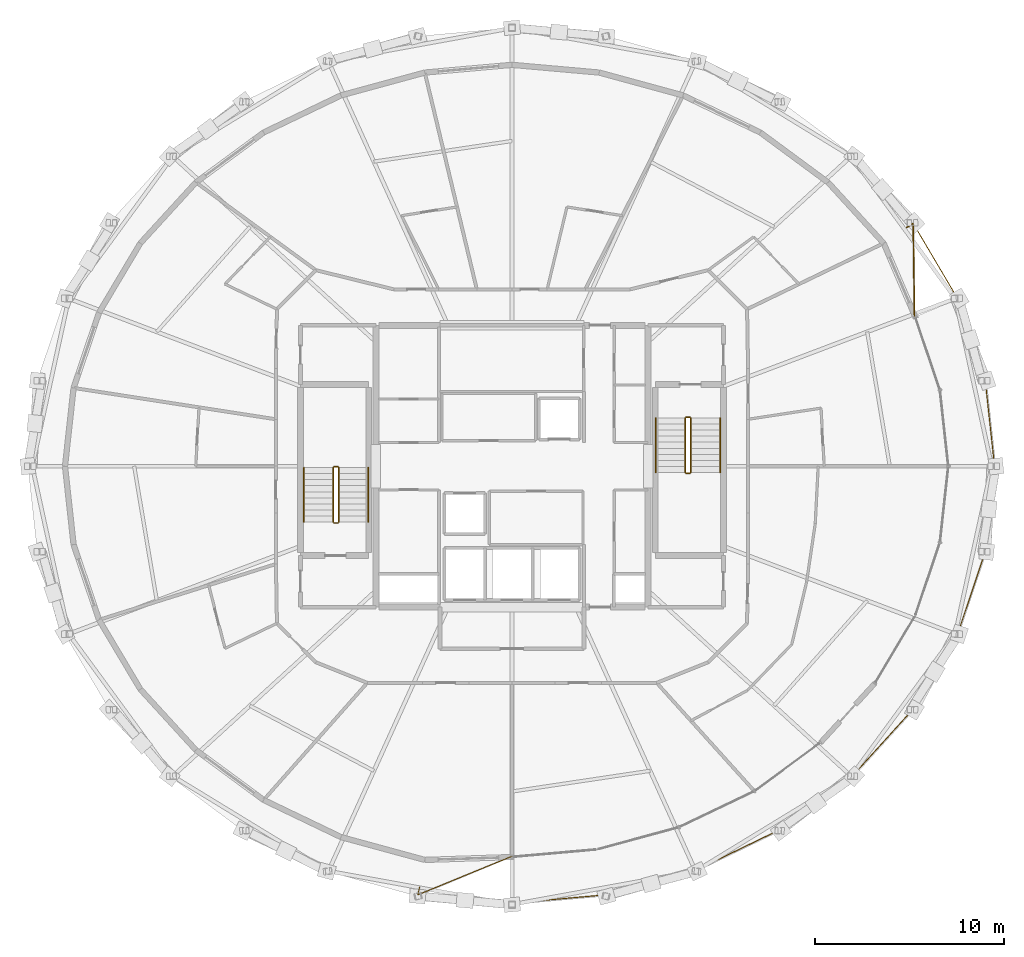
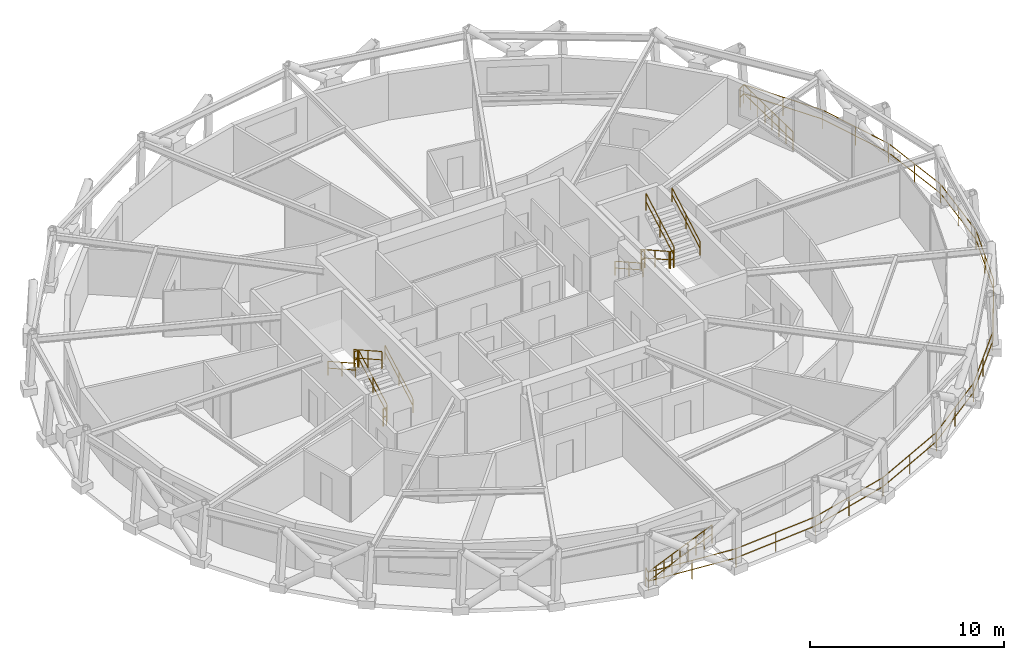
# One storey, part 17 of 17: 15 railings.
"""IFC4 building model written with IfcOpenShell, lengths in metres."""

from ifc_helpers import new_model, si_unit, direction, frame, origin, origin_2d, place, context, subcontext, project, spatial, circle, extrude, material, type_object, element, save


model = new_model("IFC4")

# Units and contexts
model_context = context("Model", 3, precision=1e-05, world=origin(), true_north=direction((0.0, 1.0)))
body_context = subcontext(model_context, "Body", "Model", "MODEL_VIEW")
ifc_project = project(units=[si_unit("LENGTHUNIT", "METRE"), si_unit("AREAUNIT", "SQUARE_METRE"), si_unit("VOLUMEUNIT", "CUBIC_METRE"), si_unit("PLANEANGLEUNIT", "RADIAN"), si_unit("MASSUNIT", "GRAM", prefix="KILO")], contexts=[model_context])

# Site, building, storey
site_placement = place(None, origin())
site = spatial("IfcSite", under=ifc_project, at=site_placement, CompositionType="ELEMENT")
building_placement = place(site_placement, origin())
building = spatial("IfcBuilding", under=site, at=building_placement, Name="Veldorina Hangang Commons", CompositionType="ELEMENT")
storey_placement = place(building_placement, frame((0.0, 0.0, 214.800048828125)))
storey = spatial("IfcBuildingStorey", under=building, at=storey_placement, Name="L55", CompositionType="ELEMENT", Elevation=214.800048828125)

# Railings
ifc_material_1 = material(Name="Glass Laminated Safety Balustrade", Category="glass")
railing_type_1 = type_object("IfcRailingType", Name="RL-BAL-LOGGIA", PredefinedType="BALUSTRADE", material=ifc_material_1)
railing_1_placement = place(storey_placement, frame((27.11474609375, 1.7548828125, 0.0)))
element("IfcRailing", 1, at=railing_1_placement, inside=storey, type_object=railing_type_1, Name="L55 sky-garden loggia end balustrade A", PredefinedType="BALUSTRADE", context=body_context, shape_type="SweptSolid", body=[
    extrude(circle(Radius=0.02392578125, at=origin_2d()), frame((0.0, 0.0, 1.17578125), z_axis=(-0.213974319769, -0.976839285901, 0.0), x_axis=(0.976839285901, -0.213974319769, 0.0)), (0.0, 0.0, 1.0), 0.419921875),
    extrude(circle(Radius=0.02392578125, at=origin_2d()), frame((0.0, 0.0, 0.60009765625), z_axis=(-0.213974319769, -0.976839285901, 0.0), x_axis=(0.976839285901, -0.213974319769, 0.0)), (0.0, 0.0, 1.0), 0.419921875),
    extrude(circle(Radius=0.02392578125, at=origin_2d()), frame((-0.08984375, -0.41015625, 1.17578125), z_axis=(0.92547459623, 0.378809677454, 0.0), x_axis=(-0.378809677454, 0.92547459623, 0.0)), (0.0, 0.0, 1.0), 5.375732421875),
    extrude(circle(Radius=0.02392578125, at=origin_2d()), frame((-0.08984375, -0.41015625, 0.60009765625), z_axis=(0.92547459623, 0.378809677454, 0.0), x_axis=(-0.378809677454, 0.92547459623, 0.0)), (0.0, 0.0, 1.0), 5.375732421875),
    extrude(circle(Radius=0.02099609375, at=origin_2d()), origin(), (0.0, 0.0, 1.0), 1.15185546875),
    extrude(circle(Radius=0.02099609375, at=origin_2d()), frame((-0.08984375, -0.41015625, 0.0)), (0.0, 0.0, 1.0), 1.15185546875),
    extrude(circle(Radius=0.02099609375, at=origin_2d()), frame((0.531982421875, -0.155517578125, 0.0)), (0.0, 0.0, 1.0), 1.15185546875),
    extrude(circle(Radius=0.02099609375, at=origin_2d()), frame((1.15380859375, 0.098876953125, 0.0)), (0.0, 0.0, 1.0), 1.15185546875),
    extrude(circle(Radius=0.02099609375, at=origin_2d()), frame((1.77587890625, 0.353515625, 0.0)), (0.0, 0.0, 1.0), 1.15185546875),
    extrude(circle(Radius=0.02099609375, at=origin_2d()), frame((2.397705078125, 0.60791015625, 0.0)), (0.0, 0.0, 1.0), 1.15185546875),
    extrude(circle(Radius=0.02099609375, at=origin_2d()), frame((3.01953125, 0.862548828125, 0.0)), (0.0, 0.0, 1.0), 1.15185546875),
    extrude(circle(Radius=0.02099609375, at=origin_2d()), frame((3.6416015625, 1.1171875, 0.0)), (0.0, 0.0, 1.0), 1.15185546875),
    extrude(circle(Radius=0.02099609375, at=origin_2d()), frame((4.263427734375, 1.37158203125, 0.0)), (0.0, 0.0, 1.0), 1.15185546875),
    extrude(circle(Radius=0.02099609375, at=origin_2d()), frame((4.88525390625, 1.626220703125, 0.0)), (0.0, 0.0, 1.0), 1.15185546875),
])
railing_2_placement = place(storey_placement, frame((52.849609375, 36.61865234375, 0.0)))
element("IfcRailing", 2, at=railing_2_placement, inside=storey, type_object=railing_type_1, Name="L55 sky-garden loggia end balustrade B", PredefinedType="BALUSTRADE", context=body_context, shape_type="SweptSolid", body=[
    extrude(circle(Radius=0.02392578125, at=origin_2d()), frame((0.0, 0.0, 1.17578125), z_axis=(0.855486528825, 0.517825066021, 0.0), x_axis=(-0.517825066021, 0.855486528825, 0.0)), (0.0, 0.0, 1.0), 0.420166015625),
    extrude(circle(Radius=0.02392578125, at=origin_2d()), frame((0.0, 0.0, 0.60009765625), z_axis=(0.855486528825, 0.517825066021, 0.0), x_axis=(-0.517825066021, 0.855486528825, 0.0)), (0.0, 0.0, 1.0), 0.420166015625),
    extrude(circle(Radius=0.02392578125, at=origin_2d()), frame((0.359375, 0.217529296875, 1.17578125), z_axis=(0.013627018211, -0.999907147877, 0.0), x_axis=(0.999907147877, 0.013627018211, 0.0)), (0.0, 0.0, 1.0), 4.94482421875),
    extrude(circle(Radius=0.02392578125, at=origin_2d()), frame((0.359375, 0.217529296875, 0.60009765625), z_axis=(0.013627018211, -0.999907147877, 0.0), x_axis=(0.999907147877, 0.013627018211, 0.0)), (0.0, 0.0, 1.0), 4.94482421875),
    extrude(circle(Radius=0.02099609375, at=origin_2d()), origin(), (0.0, 0.0, 1.0), 1.15185546875),
    extrude(circle(Radius=0.02099609375, at=origin_2d()), frame((0.359375, 0.217529296875, 0.0)), (0.0, 0.0, 1.0), 1.15185546875),
    extrude(circle(Radius=0.02099609375, at=origin_2d()), frame((0.368896484375, -0.48876953125, 0.0)), (0.0, 0.0, 1.0), 1.15185546875),
    extrude(circle(Radius=0.02099609375, at=origin_2d()), frame((0.378662109375, -1.195068359375, 0.0)), (0.0, 0.0, 1.0), 1.15185546875),
    extrude(circle(Radius=0.02099609375, at=origin_2d()), frame((0.38818359375, -1.9013671875, 0.0)), (0.0, 0.0, 1.0), 1.15185546875),
    extrude(circle(Radius=0.02099609375, at=origin_2d()), frame((0.39794921875, -2.60791015625, 0.0)), (0.0, 0.0, 1.0), 1.15185546875),
    extrude(circle(Radius=0.02099609375, at=origin_2d()), frame((0.407470703125, -3.314208984375, 0.0)), (0.0, 0.0, 1.0), 1.15185546875),
    extrude(circle(Radius=0.02099609375, at=origin_2d()), frame((0.417236328125, -4.0205078125, 0.0)), (0.0, 0.0, 1.0), 1.15185546875),
    extrude(circle(Radius=0.02099609375, at=origin_2d()), frame((0.4267578125, -4.726806640625, 0.0)), (0.0, 0.0, 1.0), 1.15185546875),
])
railing_3_placement = place(storey_placement, frame((27.02490234375, 1.3447265625, 0.0)))
element("IfcRailing", 3, at=railing_3_placement, inside=storey, type_object=railing_type_1, Name="L55 sky-garden loggia outer balustrade", PredefinedType="BALUSTRADE", context=body_context, shape_type="SweptSolid", body=[
    extrude(circle(Radius=0.02392578125, at=origin_2d()), frame((0.0, 0.0, 1.17578125), z_axis=(0.996048367631, -0.0888124391, 0.0), x_axis=(0.0888124391, 0.996048367631, 0.0)), (0.0, 0.0, 1.0), 4.994873046875),
    extrude(circle(Radius=0.02392578125, at=origin_2d()), frame((0.0, 0.0, 0.60009765625), z_axis=(0.996048367631, -0.0888124391, 0.0), x_axis=(0.0888124391, 0.996048367631, 0.0)), (0.0, 0.0, 1.0), 4.994873046875),
    extrude(circle(Radius=0.02392578125, at=origin_2d()), frame((4.97509765625, -0.443603515625, 1.17578125), z_axis=(0.996048367631, 0.0888124391, 0.0), x_axis=(-0.0888124391, 0.996048367631, 0.0)), (0.0, 0.0, 1.0), 4.994873046875),
    extrude(circle(Radius=0.02392578125, at=origin_2d()), frame((4.97509765625, -0.443603515625, 0.60009765625), z_axis=(0.996048367631, 0.0888124391, 0.0), x_axis=(-0.0888124391, 0.996048367631, 0.0)), (0.0, 0.0, 1.0), 4.994873046875),
    extrude(circle(Radius=0.02392578125, at=origin_2d()), frame((9.9501953125, 0.0, 1.17578125), z_axis=(0.9643081659, 0.264782478987, 0.0), x_axis=(-0.264782478987, 0.9643081659, 0.0)), (0.0, 0.0, 1.0), 4.96142578125),
    extrude(circle(Radius=0.02392578125, at=origin_2d()), frame((9.9501953125, 0.0, 0.60009765625), z_axis=(0.9643081659, 0.264782478987, 0.0), x_axis=(-0.264782478987, 0.9643081659, 0.0)), (0.0, 0.0, 1.0), 4.96142578125),
    extrude(circle(Radius=0.02392578125, at=origin_2d()), frame((14.734619140625, 1.313720703125, 1.17578125), z_axis=(0.900181940977, 0.435514033228, 0.0), x_axis=(-0.435514033228, 0.900181940977, 0.0)), (0.0, 0.0, 1.0), 4.89892578125),
    extrude(circle(Radius=0.02392578125, at=origin_2d()), frame((14.734619140625, 1.313720703125, 0.60009765625), z_axis=(0.900181940977, 0.435514033228, 0.0), x_axis=(-0.435514033228, 0.900181940977, 0.0)), (0.0, 0.0, 1.0), 4.89892578125),
    extrude(circle(Radius=0.02392578125, at=origin_2d()), frame((19.14453125, 3.447265625, 1.17578125), z_axis=(0.802765340384, 0.596295068132, 0.0), x_axis=(-0.596295068132, 0.802765340384, 0.0)), (0.0, 0.0, 1.0), 4.816162109375),
    extrude(circle(Radius=0.02392578125, at=origin_2d()), frame((19.14453125, 3.447265625, 0.60009765625), z_axis=(0.802765340384, 0.596295068132, 0.0), x_axis=(-0.596295068132, 0.802765340384, 0.0)), (0.0, 0.0, 1.0), 4.816162109375),
    extrude(circle(Radius=0.02392578125, at=origin_2d()), frame((23.0107421875, 6.319091796875, 1.17578125), z_axis=(0.671689648146, 0.740832650856, 0.0), x_axis=(-0.740832650856, 0.671689648146, 0.0)), (0.0, 0.0, 1.0), 4.724365234375),
    extrude(circle(Radius=0.02392578125, at=origin_2d()), frame((23.0107421875, 6.319091796875, 0.60009765625), z_axis=(0.671689648146, 0.740832650856, 0.0), x_axis=(-0.740832650856, 0.671689648146, 0.0)), (0.0, 0.0, 1.0), 4.724365234375),
    extrude(circle(Radius=0.02392578125, at=origin_2d()), frame((26.18408203125, 9.819091796875, 1.17578125), z_axis=(0.508406531142, 0.861117180814, 0.0), x_axis=(-0.861117180814, 0.508406531142, 0.0)), (0.0, 0.0, 1.0), 4.638427734375),
    extrude(circle(Radius=0.02392578125, at=origin_2d()), frame((26.18408203125, 9.819091796875, 0.60009765625), z_axis=(0.508406531142, 0.861117180814, 0.0), x_axis=(-0.861117180814, 0.508406531142, 0.0)), (0.0, 0.0, 1.0), 4.638427734375),
    extrude(circle(Radius=0.02392578125, at=origin_2d()), frame((28.542236328125, 13.813232421875, 1.17578125), z_axis=(0.317733517289, 0.948180052517, 0.0), x_axis=(-0.948180052517, 0.317733517289, 0.0)), (0.0, 0.0, 1.0), 4.571044921875),
    extrude(circle(Radius=0.02392578125, at=origin_2d()), frame((28.542236328125, 13.813232421875, 0.60009765625), z_axis=(0.317733517289, 0.948180052517, 0.0), x_axis=(-0.948180052517, 0.317733517289, 0.0)), (0.0, 0.0, 1.0), 4.571044921875),
    extrude(circle(Radius=0.02392578125, at=origin_2d()), frame((29.99462890625, 18.1474609375, 1.17578125), z_axis=(0.108167919679, 0.994132637605, 0.0), x_axis=(-0.994132637605, 0.108167919679, 0.0)), (0.0, 0.0, 1.0), 4.534423828125),
    extrude(circle(Radius=0.02392578125, at=origin_2d()), frame((29.99462890625, 18.1474609375, 0.60009765625), z_axis=(0.108167919679, 0.994132637605, 0.0), x_axis=(-0.994132637605, 0.108167919679, 0.0)), (0.0, 0.0, 1.0), 4.534423828125),
    extrude(circle(Radius=0.02392578125, at=origin_2d()), frame((30.485107421875, 22.6552734375, 1.17578125), z_axis=(-0.108167919679, 0.994132637605, 0.0), x_axis=(-0.994132637605, -0.108167919679, 0.0)), (0.0, 0.0, 1.0), 4.534423828125),
    extrude(circle(Radius=0.02392578125, at=origin_2d()), frame((30.485107421875, 22.6552734375, 0.60009765625), z_axis=(-0.108167919679, 0.994132637605, 0.0), x_axis=(-0.994132637605, -0.108167919679, 0.0)), (0.0, 0.0, 1.0), 4.534423828125),
    extrude(circle(Radius=0.02392578125, at=origin_2d()), frame((29.99462890625, 27.1630859375, 1.17578125), z_axis=(-0.317733517289, 0.948180052517, 0.0), x_axis=(-0.948180052517, -0.317733517289, 0.0)), (0.0, 0.0, 1.0), 4.571044921875),
    extrude(circle(Radius=0.02392578125, at=origin_2d()), frame((29.99462890625, 27.1630859375, 0.60009765625), z_axis=(-0.317733517289, 0.948180052517, 0.0), x_axis=(-0.948180052517, -0.317733517289, 0.0)), (0.0, 0.0, 1.0), 4.571044921875),
    extrude(circle(Radius=0.02392578125, at=origin_2d()), frame((28.542236328125, 31.497314453125, 1.17578125), z_axis=(-0.508406531142, 0.861117180814, 0.0), x_axis=(-0.861117180814, -0.508406531142, 0.0)), (0.0, 0.0, 1.0), 4.638427734375),
    extrude(circle(Radius=0.02392578125, at=origin_2d()), frame((28.542236328125, 31.497314453125, 0.60009765625), z_axis=(-0.508406531142, 0.861117180814, 0.0), x_axis=(-0.861117180814, -0.508406531142, 0.0)), (0.0, 0.0, 1.0), 4.638427734375),
    extrude(circle(Radius=0.02099609375, at=origin_2d()), origin(), (0.0, 0.0, 1.0), 1.15185546875),
    extrude(circle(Radius=0.02099609375, at=origin_2d()), frame((2.487548828125, -0.2216796875, 0.0)), (0.0, 0.0, 1.0), 1.15185546875),
    extrude(circle(Radius=0.02099609375, at=origin_2d()), frame((4.97509765625, -0.443603515625, 0.0)), (0.0, 0.0, 1.0), 1.15185546875),
    extrude(circle(Radius=0.02099609375, at=origin_2d()), frame((7.462646484375, -0.2216796875, 0.0)), (0.0, 0.0, 1.0), 1.15185546875),
    extrude(circle(Radius=0.02099609375, at=origin_2d()), frame((9.9501953125, 0.0, 0.0)), (0.0, 0.0, 1.0), 1.15185546875),
    extrude(circle(Radius=0.02099609375, at=origin_2d()), frame((12.34228515625, 0.65673828125, 0.0)), (0.0, 0.0, 1.0), 1.15185546875),
    extrude(circle(Radius=0.02099609375, at=origin_2d()), frame((14.734619140625, 1.313720703125, 0.0)), (0.0, 0.0, 1.0), 1.15185546875),
    extrude(circle(Radius=0.02099609375, at=origin_2d()), frame((16.939453125, 2.38037109375, 0.0)), (0.0, 0.0, 1.0), 1.15185546875),
    extrude(circle(Radius=0.02099609375, at=origin_2d()), frame((19.14453125, 3.447265625, 0.0)), (0.0, 0.0, 1.0), 1.15185546875),
    extrude(circle(Radius=0.02099609375, at=origin_2d()), frame((21.07763671875, 4.88330078125, 0.0)), (0.0, 0.0, 1.0), 1.15185546875),
    extrude(circle(Radius=0.02099609375, at=origin_2d()), frame((23.0107421875, 6.319091796875, 0.0)), (0.0, 0.0, 1.0), 1.15185546875),
    extrude(circle(Radius=0.02099609375, at=origin_2d()), frame((24.597412109375, 8.069091796875, 0.0)), (0.0, 0.0, 1.0), 1.15185546875),
    extrude(circle(Radius=0.02099609375, at=origin_2d()), frame((26.18408203125, 9.819091796875, 0.0)), (0.0, 0.0, 1.0), 1.15185546875),
    extrude(circle(Radius=0.02099609375, at=origin_2d()), frame((27.36328125, 11.816162109375, 0.0)), (0.0, 0.0, 1.0), 1.15185546875),
    extrude(circle(Radius=0.02099609375, at=origin_2d()), frame((28.542236328125, 13.813232421875, 0.0)), (0.0, 0.0, 1.0), 1.15185546875),
    extrude(circle(Radius=0.02099609375, at=origin_2d()), frame((29.2685546875, 15.98046875, 0.0)), (0.0, 0.0, 1.0), 1.15185546875),
    extrude(circle(Radius=0.02099609375, at=origin_2d()), frame((29.99462890625, 18.1474609375, 0.0)), (0.0, 0.0, 1.0), 1.15185546875),
    extrude(circle(Radius=0.02099609375, at=origin_2d()), frame((30.23974609375, 20.4013671875, 0.0)), (0.0, 0.0, 1.0), 1.15185546875),
    extrude(circle(Radius=0.02099609375, at=origin_2d()), frame((30.485107421875, 22.6552734375, 0.0)), (0.0, 0.0, 1.0), 1.15185546875),
    extrude(circle(Radius=0.02099609375, at=origin_2d()), frame((30.23974609375, 24.9091796875, 0.0)), (0.0, 0.0, 1.0), 1.15185546875),
    extrude(circle(Radius=0.02099609375, at=origin_2d()), frame((29.99462890625, 27.1630859375, 0.0)), (0.0, 0.0, 1.0), 1.15185546875),
    extrude(circle(Radius=0.02099609375, at=origin_2d()), frame((29.2685546875, 29.330078125, 0.0)), (0.0, 0.0, 1.0), 1.15185546875),
    extrude(circle(Radius=0.02099609375, at=origin_2d()), frame((28.542236328125, 31.497314453125, 0.0)), (0.0, 0.0, 1.0), 1.15185546875),
    extrude(circle(Radius=0.02099609375, at=origin_2d()), frame((27.36328125, 33.494384765625, 0.0)), (0.0, 0.0, 1.0), 1.15185546875),
    extrude(circle(Radius=0.02099609375, at=origin_2d()), frame((26.18408203125, 35.491455078125, 0.0)), (0.0, 0.0, 1.0), 1.15185546875),
])
ifc_material_2 = material(Name="Steel Painted Balustrade", Category="steel")
railing_type_2 = type_object("IfcRailingType", Name="RL-GRD-STAIR", PredefinedType="GUARDRAIL", material=ifc_material_2)
railing_4_placement = place(storey_placement, frame((22.85009765625, 21.050048828125, 0.179931640625)))
element("IfcRailing", 4, at=railing_4_placement, inside=storey, type_object=railing_type_2, Name="L55 ST-1 stair guard 1", PredefinedType="GUARDRAIL", context=body_context, shape_type="SweptSolid", body=[
    extrude(circle(Radius=0.02392578125, at=origin_2d()), frame((0.0, 0.0, 1.076171875), z_axis=(0.0, 0.87155185771, 0.490303333991), x_axis=(-1.0, 0.0, 0.0)), (0.0, 0.0, 1.0), 3.30419921875),
    extrude(circle(Radius=0.02392578125, at=origin_2d()), frame((0.0, 0.0, 0.550048828125), z_axis=(0.0, 0.87155185771, 0.490303333991), x_axis=(-1.0, 0.0, 0.0)), (0.0, 0.0, 1.0), 3.30419921875),
    extrude(circle(Radius=0.02099609375, at=origin_2d()), origin(), (0.0, 0.0, 1.0), 1.052001953125),
    extrude(circle(Radius=0.02099609375, at=origin_2d()), frame((0.0, 1.43994140625, 0.81005859375)), (0.0, 0.0, 1.0), 1.052001953125),
    extrude(circle(Radius=0.02099609375, at=origin_2d()), frame((0.0, 2.8798828125, 1.6201171875)), (0.0, 0.0, 1.0), 1.052001953125),
])
railing_5_placement = place(storey_placement, frame((22.800048828125, 23.97998046875, 1.800048828125)))
element("IfcRailing", 5, at=railing_5_placement, inside=storey, type_object=railing_type_2, Name="L55 ST-1 stair guard 2", PredefinedType="GUARDRAIL", context=body_context, shape_type="SweptSolid", body=[
    extrude(circle(Radius=0.02392578125, at=origin_2d()), frame((0.0, 0.0, 1.076171875), z_axis=(-1.0, 0.0, 0.0), x_axis=(0.0, -1.0, 0.0)), (0.0, 0.0, 1.0), 0.199951171875),
    extrude(circle(Radius=0.02392578125, at=origin_2d()), frame((0.0, 0.0, 0.550048828125), z_axis=(-1.0, 0.0, 0.0), x_axis=(0.0, -1.0, 0.0)), (0.0, 0.0, 1.0), 0.199951171875),
    extrude(circle(Radius=0.02099609375, at=origin_2d()), origin(), (0.0, 0.0, 1.0), 1.052001953125),
    extrude(circle(Radius=0.02099609375, at=origin_2d()), frame((-0.199951171875, 0.0, 0.0)), (0.0, 0.0, 1.0), 1.052001953125),
])
railing_6_placement = place(storey_placement, frame((22.550048828125, 23.929931640625, 1.97998046875)))
element("IfcRailing", 6, at=railing_6_placement, inside=storey, type_object=railing_type_2, Name="L55 ST-1 stair guard 3", PredefinedType="GUARDRAIL", context=body_context, shape_type="SweptSolid", body=[
    extrude(circle(Radius=0.02392578125, at=origin_2d()), frame((0.0, 0.0, 1.076171875), z_axis=(0.0, -0.871583430097, 0.490247207417), x_axis=(1.0, 0.0, 0.0)), (0.0, 0.0, 1.0), 3.30419921875),
    extrude(circle(Radius=0.02392578125, at=origin_2d()), frame((0.0, 0.0, 0.550048828125), z_axis=(0.0, -0.871583430097, 0.490247207417), x_axis=(1.0, 0.0, 0.0)), (0.0, 0.0, 1.0), 3.30419921875),
    extrude(circle(Radius=0.02099609375, at=origin_2d()), origin(), (0.0, 0.0, 1.0), 1.052001953125),
    extrude(circle(Radius=0.02099609375, at=origin_2d()), frame((0.0, -1.43994140625, 0.81005859375)), (0.0, 0.0, 1.0), 1.052001953125),
    extrude(circle(Radius=0.02099609375, at=origin_2d()), frame((0.0, -2.8798828125, 1.619873046875)), (0.0, 0.0, 1.0), 1.052001953125),
])
railing_7_placement = place(storey_placement, frame((22.800048828125, 21.0, 0.0)))
element("IfcRailing", 7, at=railing_7_placement, inside=storey, type_object=railing_type_2, Name="L55 ST-1 stair guard 4", PredefinedType="GUARDRAIL", context=body_context, shape_type="SweptSolid", body=[
    extrude(circle(Radius=0.02392578125, at=origin_2d()), frame((0.0, 0.0, 1.076171875), z_axis=(-1.0, 0.0, 0.0), x_axis=(0.0, -1.0, 0.0)), (0.0, 0.0, 1.0), 0.199951171875),
    extrude(circle(Radius=0.02392578125, at=origin_2d()), frame((0.0, 0.0, 0.550048828125), z_axis=(-1.0, 0.0, 0.0), x_axis=(0.0, -1.0, 0.0)), (0.0, 0.0, 1.0), 0.199951171875),
    extrude(circle(Radius=0.02099609375, at=origin_2d()), origin(), (0.0, 0.0, 1.0), 1.052001953125),
    extrude(circle(Radius=0.02099609375, at=origin_2d()), frame((-0.199951171875, 0.0, 0.0)), (0.0, 0.0, 1.0), 1.052001953125),
])
railing_8_placement = place(storey_placement, frame((41.14990234375, 26.550048828125, 0.179931640625)))
element("IfcRailing", 8, at=railing_8_placement, inside=storey, type_object=railing_type_2, Name="L55 ST-2 stair guard 1", PredefinedType="GUARDRAIL", context=body_context, shape_type="SweptSolid", body=[
    extrude(circle(Radius=0.02392578125, at=origin_2d()), frame((0.0, 0.0, 1.076171875), z_axis=(0.0, -0.871569617843, 0.490271762652), x_axis=(1.0, 0.0, 0.0)), (0.0, 0.0, 1.0), 3.304443359375),
    extrude(circle(Radius=0.02392578125, at=origin_2d()), frame((0.0, 0.0, 0.550048828125), z_axis=(0.0, -0.871569617843, 0.490271762652), x_axis=(1.0, 0.0, 0.0)), (0.0, 0.0, 1.0), 3.304443359375),
    extrude(circle(Radius=0.02099609375, at=origin_2d()), origin(), (0.0, 0.0, 1.0), 1.052001953125),
    extrude(circle(Radius=0.02099609375, at=origin_2d()), frame((0.0, -1.43994140625, 0.81005859375)), (0.0, 0.0, 1.0), 1.052001953125),
    extrude(circle(Radius=0.02099609375, at=origin_2d()), frame((0.0, -2.880126953125, 1.6201171875)), (0.0, 0.0, 1.0), 1.052001953125),
])
railing_9_placement = place(storey_placement, frame((41.199951171875, 23.6201171875, 1.800048828125)))
element("IfcRailing", 9, at=railing_9_placement, inside=storey, type_object=railing_type_2, Name="L55 ST-2 stair guard 2", PredefinedType="GUARDRAIL", context=body_context, shape_type="SweptSolid", body=[
    extrude(circle(Radius=0.02392578125, at=origin_2d()), frame((0.0, 0.0, 1.076171875), z_axis=(1.0, 0.0, 0.0), x_axis=(0.0, 1.0, 0.0)), (0.0, 0.0, 1.0), 0.199951171875),
    extrude(circle(Radius=0.02392578125, at=origin_2d()), frame((0.0, 0.0, 0.550048828125), z_axis=(1.0, 0.0, 0.0), x_axis=(0.0, 1.0, 0.0)), (0.0, 0.0, 1.0), 0.199951171875),
    extrude(circle(Radius=0.02099609375, at=origin_2d()), origin(), (0.0, 0.0, 1.0), 1.052001953125),
    extrude(circle(Radius=0.02099609375, at=origin_2d()), frame((0.199951171875, 0.0, 0.0)), (0.0, 0.0, 1.0), 1.052001953125),
])
railing_10_placement = place(storey_placement, frame((41.449951171875, 23.669921875, 1.97998046875)))
element("IfcRailing", 10, at=railing_10_placement, inside=storey, type_object=railing_type_2, Name="L55 ST-2 stair guard 3", PredefinedType="GUARDRAIL", context=body_context, shape_type="SweptSolid", body=[
    extrude(circle(Radius=0.02392578125, at=origin_2d()), frame((0.0, 0.0, 1.076171875), z_axis=(0.0, 0.871601186807, 0.490215637405), x_axis=(-1.0, 0.0, 0.0)), (0.0, 0.0, 1.0), 3.304443359375),
    extrude(circle(Radius=0.02392578125, at=origin_2d()), frame((0.0, 0.0, 0.550048828125), z_axis=(0.0, 0.871601186807, 0.490215637405), x_axis=(-1.0, 0.0, 0.0)), (0.0, 0.0, 1.0), 3.304443359375),
    extrude(circle(Radius=0.02099609375, at=origin_2d()), origin(), (0.0, 0.0, 1.0), 1.052001953125),
    extrude(circle(Radius=0.02099609375, at=origin_2d()), frame((0.0, 1.43994140625, 0.81005859375)), (0.0, 0.0, 1.0), 1.052001953125),
    extrude(circle(Radius=0.02099609375, at=origin_2d()), frame((0.0, 2.880126953125, 1.619873046875)), (0.0, 0.0, 1.0), 1.052001953125),
])
railing_11_placement = place(storey_placement, frame((41.199951171875, 26.60009765625, 0.0)))
element("IfcRailing", 11, at=railing_11_placement, inside=storey, type_object=railing_type_2, Name="L55 ST-2 stair guard 4", PredefinedType="GUARDRAIL", context=body_context, shape_type="SweptSolid", body=[
    extrude(circle(Radius=0.02392578125, at=origin_2d()), frame((0.0, 0.0, 1.076171875), z_axis=(1.0, 0.0, 0.0), x_axis=(0.0, 1.0, 0.0)), (0.0, 0.0, 1.0), 0.199951171875),
    extrude(circle(Radius=0.02392578125, at=origin_2d()), frame((0.0, 0.0, 0.550048828125), z_axis=(1.0, 0.0, 0.0), x_axis=(0.0, 1.0, 0.0)), (0.0, 0.0, 1.0), 0.199951171875),
    extrude(circle(Radius=0.02099609375, at=origin_2d()), origin(), (0.0, 0.0, 1.0), 1.052001953125),
    extrude(circle(Radius=0.02099609375, at=origin_2d()), frame((0.199951171875, 0.0, 0.0)), (0.0, 0.0, 1.0), 1.052001953125),
])
ifc_material_3 = material(Name="Stainless Steel Brushed 316", Category="steel")
railing_type_3 = type_object("IfcRailingType", Name="RL-HND-STAIR", PredefinedType="HANDRAIL", material=ifc_material_3)
railing_12_placement = place(storey_placement, frame((24.39990234375, 21.050048828125, 0.179931640625)))
element("IfcRailing", 12, at=railing_12_placement, inside=storey, type_object=railing_type_3, Name="L55 ST-1 stair handrail 1", PredefinedType="HANDRAIL", context=body_context, shape_type="SweptSolid", body=[
    extrude(circle(Radius=0.02392578125, at=origin_2d()), frame((0.0, 0.0, 0.8759765625), z_axis=(0.0, 0.87155185771, 0.490303333991), x_axis=(-1.0, 0.0, 0.0)), (0.0, 0.0, 1.0), 3.30419921875),
    extrude(circle(Radius=0.02392578125, at=origin_2d()), frame((0.0, 0.0, 0.449951171875), z_axis=(0.0, 0.87155185771, 0.490303333991), x_axis=(-1.0, 0.0, 0.0)), (0.0, 0.0, 1.0), 3.30419921875),
    extrude(circle(Radius=0.02099609375, at=origin_2d()), origin(), (0.0, 0.0, 1.0), 0.851806640625),
    extrude(circle(Radius=0.02099609375, at=origin_2d()), frame((0.0, 1.43994140625, 0.81005859375)), (0.0, 0.0, 1.0), 0.851806640625),
    extrude(circle(Radius=0.02099609375, at=origin_2d()), frame((0.0, 2.8798828125, 1.6201171875)), (0.0, 0.0, 1.0), 0.851806640625),
])
railing_13_placement = place(storey_placement, frame((21.0, 23.929931640625, 1.97998046875)))
element("IfcRailing", 13, at=railing_13_placement, inside=storey, type_object=railing_type_3, Name="L55 ST-1 stair handrail 2", PredefinedType="HANDRAIL", context=body_context, shape_type="SweptSolid", body=[
    extrude(circle(Radius=0.02392578125, at=origin_2d()), frame((0.0, 0.0, 0.8759765625), z_axis=(0.0, -0.871583430097, 0.490247207417), x_axis=(1.0, 0.0, 0.0)), (0.0, 0.0, 1.0), 3.30419921875),
    extrude(circle(Radius=0.02392578125, at=origin_2d()), frame((0.0, 0.0, 0.449951171875), z_axis=(0.0, -0.871583430097, 0.490247207417), x_axis=(1.0, 0.0, 0.0)), (0.0, 0.0, 1.0), 3.30419921875),
    extrude(circle(Radius=0.02099609375, at=origin_2d()), origin(), (0.0, 0.0, 1.0), 0.851806640625),
    extrude(circle(Radius=0.02099609375, at=origin_2d()), frame((0.0, -1.43994140625, 0.81005859375)), (0.0, 0.0, 1.0), 0.851806640625),
    extrude(circle(Radius=0.02099609375, at=origin_2d()), frame((0.0, -2.8798828125, 1.619873046875)), (0.0, 0.0, 1.0), 0.851806640625),
])
railing_14_placement = place(storey_placement, frame((39.60009765625, 26.550048828125, 0.179931640625)))
element("IfcRailing", 14, at=railing_14_placement, inside=storey, type_object=railing_type_3, Name="L55 ST-2 stair handrail 1", PredefinedType="HANDRAIL", context=body_context, shape_type="SweptSolid", body=[
    extrude(circle(Radius=0.02392578125, at=origin_2d()), frame((0.0, 0.0, 0.8759765625), z_axis=(0.0, -0.871569617843, 0.490271762652), x_axis=(1.0, 0.0, 0.0)), (0.0, 0.0, 1.0), 3.304443359375),
    extrude(circle(Radius=0.02392578125, at=origin_2d()), frame((0.0, 0.0, 0.449951171875), z_axis=(0.0, -0.871569617843, 0.490271762652), x_axis=(1.0, 0.0, 0.0)), (0.0, 0.0, 1.0), 3.304443359375),
    extrude(circle(Radius=0.02099609375, at=origin_2d()), origin(), (0.0, 0.0, 1.0), 0.851806640625),
    extrude(circle(Radius=0.02099609375, at=origin_2d()), frame((0.0, -1.43994140625, 0.81005859375)), (0.0, 0.0, 1.0), 0.851806640625),
    extrude(circle(Radius=0.02099609375, at=origin_2d()), frame((0.0, -2.880126953125, 1.6201171875)), (0.0, 0.0, 1.0), 0.851806640625),
])
railing_15_placement = place(storey_placement, frame((43.0, 23.669921875, 1.97998046875)))
element("IfcRailing", 15, at=railing_15_placement, inside=storey, type_object=railing_type_3, Name="L55 ST-2 stair handrail 2", PredefinedType="HANDRAIL", context=body_context, shape_type="SweptSolid", body=[
    extrude(circle(Radius=0.02392578125, at=origin_2d()), frame((0.0, 0.0, 0.8759765625), z_axis=(0.0, 0.871601186807, 0.490215637405), x_axis=(-1.0, 0.0, 0.0)), (0.0, 0.0, 1.0), 3.304443359375),
    extrude(circle(Radius=0.02392578125, at=origin_2d()), frame((0.0, 0.0, 0.449951171875), z_axis=(0.0, 0.871601186807, 0.490215637405), x_axis=(-1.0, 0.0, 0.0)), (0.0, 0.0, 1.0), 3.304443359375),
    extrude(circle(Radius=0.02099609375, at=origin_2d()), origin(), (0.0, 0.0, 1.0), 0.851806640625),
    extrude(circle(Radius=0.02099609375, at=origin_2d()), frame((0.0, 1.43994140625, 0.81005859375)), (0.0, 0.0, 1.0), 0.851806640625),
    extrude(circle(Radius=0.02099609375, at=origin_2d()), frame((0.0, 2.880126953125, 1.619873046875)), (0.0, 0.0, 1.0), 0.851806640625),
])

save(model, "model.ifc")
